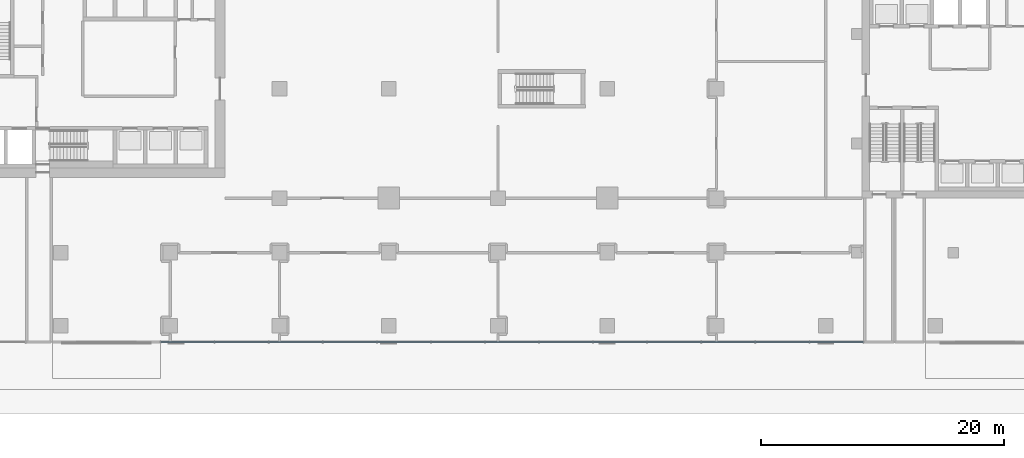
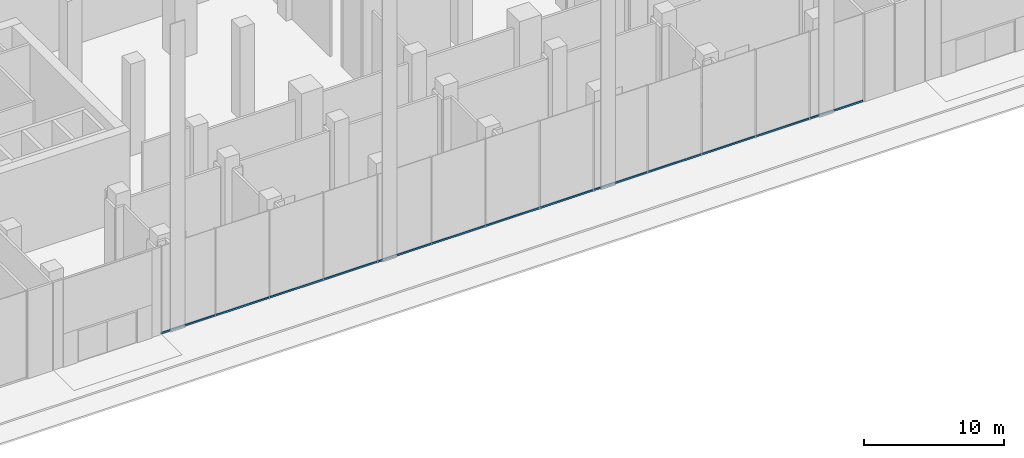
# One storey, part 5 of 42: 1 member, 1 element without a shape of its own.
"""IFC4 building model written with IfcOpenShell, lengths in metres."""

import ifcopenshell
import ifcopenshell.guid

model = None  # the IFC model being written
_history = None  # IfcOwnerHistory: only IFC2X3 demands one
_inside = {}  # id of a spatial element -> (the spatial element, [elements in it])
_under = {}  # id of a project, library or spatial element -> (it, [spatial elements below it])
_declared = {}  # id of a project -> (the project, [libraries it declares])
_typed = {}  # id of a type object -> (the type object, [elements of that type])
_made_of = {}  # id of a material, layer set ... -> (it, [elements and type objects made of it])


def new_model(schema):
    """Start an empty IFC model of exactly this schema.

    Asked for "IFC4X3", IfcOpenShell would pick the latest addendum, in which some entities
    have other attributes; the version numbers below select the first issue.
    IFC2X3 requires an IfcOwnerHistory on every rooted entity: one is made here for all.
    """
    global model, _history
    if schema == "IFC4X3":
        model = ifcopenshell.file(schema_version=(4, 3, 0, 0))
    else:
        model = ifcopenshell.file(schema=schema)
    _inside.clear()
    _under.clear()
    _declared.clear()
    _typed.clear()
    _made_of.clear()
    _history = None
    if model.schema == "IFC2X3":
        org = make("IfcOrganization", Name="unknown")
        user = make(
            "IfcPersonAndOrganization",
            ThePerson=make("IfcPerson", FamilyName="unknown"),
            TheOrganization=org,
        )
        app = make(
            "IfcApplication",
            ApplicationDeveloper=org,
            Version="unknown",
            ApplicationFullName="unknown",
            ApplicationIdentifier="unknown",
        )
        _history = make(
            "IfcOwnerHistory",
            OwningUser=user,
            OwningApplication=app,
            ChangeAction="ADDED",
            CreationDate=0,
        )
    return model


def make(cls, **values):
    """One entity of the class cls with the attributes given. An attribute that is None is left unset."""
    return model.create_entity(
        cls, **{name: value for name, value in values.items() if value is not None}
    )


def rooted(cls, **values):
    """An entity with a GlobalId (a new one), such as an element, a storey or a relation."""
    return make(cls, GlobalId=ifcopenshell.guid.new(), OwnerHistory=_history, **values)


def si_unit(unit_type, name, prefix=None):
    """IfcSIUnit, for example si_unit("LENGTHUNIT", "METRE", prefix="MILLI")."""
    return make("IfcSIUnit", UnitType=unit_type, Prefix=prefix, Name=name)


def assignment(units):
    """IfcUnitAssignment: the units of a project."""
    return None if units is None else make("IfcUnitAssignment", Units=units)


def point(xyz):
    """IfcCartesianPoint."""
    return None if xyz is None else make("IfcCartesianPoint", Coordinates=xyz)


def direction(xyz):
    """IfcDirection."""
    return None if xyz is None else make("IfcDirection", DirectionRatios=xyz)


def frame(location, z_axis=None, x_axis=None):
    """IfcAxis2Placement3D, a coordinate frame: its origin and axes. An axis left out is left unset."""
    return make(
        "IfcAxis2Placement3D",
        Location=point(location),
        Axis=direction(z_axis),
        RefDirection=direction(x_axis),
    )


def frame_2d(location, x_axis=None):
    """IfcAxis2Placement2D, a coordinate frame in the plane: its origin and x axis."""
    return make(
        "IfcAxis2Placement2D", Location=point(location), RefDirection=direction(x_axis)
    )


def origin():
    """The frame at (0, 0, 0) with its axes left unset."""
    return frame((0.0, 0.0, 0.0))


def origin_2d():
    """The frame at (0, 0) in the plane with its x axis left unset."""
    return frame_2d((0.0, 0.0))


def place(relative_to, where):
    """IfcLocalPlacement: puts the frame where relative to a parent placement (None: the world)."""
    return make(
        "IfcLocalPlacement", PlacementRelTo=relative_to, RelativePlacement=where
    )


def context(
    kind, dimensions, precision=None, world=None, true_north=None, identifier=None
):
    """IfcGeometricRepresentationContext, for example the 3D "Model" context."""
    return make(
        "IfcGeometricRepresentationContext",
        ContextIdentifier=identifier,
        ContextType=kind,
        CoordinateSpaceDimension=dimensions,
        Precision=precision,
        WorldCoordinateSystem=world,
        TrueNorth=true_north,
    )


def subcontext(parent, identifier, kind, view, scale=None):
    """IfcGeometricRepresentationSubContext, for example "Body" below "Model"."""
    return make(
        "IfcGeometricRepresentationSubContext",
        ContextIdentifier=identifier,
        ContextType=kind,
        ParentContext=parent,
        TargetScale=scale,
        TargetView=view,
    )


def project(units=None, contexts=None):
    """IfcProject with its units and contexts."""
    return rooted(
        "IfcProject",
        Name="project",
        RepresentationContexts=contexts,
        UnitsInContext=assignment(units),
    )


def spatial(cls, under=None, at=None, **own):
    """A site, building, storey or space (cls), placed at a placement, below another one or the project."""
    s = rooted(cls, ObjectPlacement=at, **own)
    if under is not None:
        _under.setdefault(under.id(), (under, []))[1].append(s)
    return s


def profile(cls, at=None, kind="AREA", **sizes):
    """A parametric profile (cls). Its sizes go by their IFC names, for example OverallWidth=200.0."""
    return make(cls, ProfileType=kind, Position=at, **sizes)


def rectangle(**sizes):
    """IfcRectangleProfileDef."""
    return profile("IfcRectangleProfileDef", **sizes)


def extrude(swept, where, along, depth):
    """IfcExtrudedAreaSolid: the profile swept, set in the frame where, extruded along a direction by depth."""
    return make(
        "IfcExtrudedAreaSolid",
        SweptArea=swept,
        Position=where,
        ExtrudedDirection=direction(along),
        Depth=depth,
    )


def shape(context_of_items, identifier, shape_type, items):
    """IfcShapeRepresentation: the items that make up one representation, for example the "Body"."""
    return make(
        "IfcShapeRepresentation",
        ContextOfItems=context_of_items,
        RepresentationIdentifier=identifier,
        RepresentationType=shape_type,
        Items=items,
    )


def material(Name=None, Category=None):
    """IfcMaterial."""
    return make("IfcMaterial", Name=Name, Category=Category)


def layer(
    of_material, thickness, ventilated=None, Name=None, Category=None, Priority=None
):
    """IfcMaterialLayer: one layer of a wall or slab, of a material (None: an air gap)."""
    return make(
        "IfcMaterialLayer",
        Material=of_material,
        LayerThickness=thickness,
        IsVentilated=ventilated,
        Name=Name,
        Category=Category,
        Priority=Priority,
    )


def layer_set(layers, Name=None):
    """IfcMaterialLayerSet."""
    return make("IfcMaterialLayerSet", MaterialLayers=layers, LayerSetName=Name)


def material_profile(
    of_material, cross_section, Name=None, Category=None, Priority=None
):
    """IfcMaterialProfile: a cross section and its material."""
    return make(
        "IfcMaterialProfile",
        Name=Name,
        Material=of_material,
        Profile=cross_section,
        Priority=Priority,
        Category=Category,
    )


def profile_set(profiles, Name=None, composite=None):
    """IfcMaterialProfileSet."""
    return make(
        "IfcMaterialProfileSet",
        Name=Name,
        MaterialProfiles=profiles,
        CompositeProfile=composite,
    )


def made_of(thing, what):
    """Note that an element or type object is made of a material, layer set ...; save() writes the relation."""
    if what is not None:
        _made_of.setdefault(what.id(), (what, []))[1].append(thing)
    return thing


def type_object(cls, material=None, **own):
    """A type object (cls), such as IfcWallType, which elements share."""
    return made_of(rooted(cls, **own), material)


def element(
    cls,
    number,
    at=None,
    inside=None,
    cuts=None,
    type_object=None,
    material=None,
    context=None,
    identifier="Body",
    shape_type=None,
    held_by="IfcProductDefinitionShape",
    body=None,
    shapes=None,
    **own,
):
    """One element of the class cls, such as IfcWall. Its Tag is "e" and its number.

    at: its placement. inside: the storey or other place that contains it. cuts: it is an
    opening in that element (IfcRelVoidsElement). A single representation is given by context,
    identifier, shape_type and body (its items); several are given by shapes. held_by: the class
    of the entity that holds the representations. save() writes the other relations.
    """
    e = rooted(cls, Tag="e%d" % number, ObjectPlacement=at, **own)
    if body is not None:
        shapes = [shape(context, identifier, shape_type, body)]
    if shapes is not None:
        e.Representation = make(held_by, Representations=shapes)
    if inside is not None:
        _inside.setdefault(inside.id(), (inside, []))[1].append(e)
    if cuts is not None:
        rooted(
            "IfcRelVoidsElement", RelatingBuildingElement=cuts, RelatedOpeningElement=e
        )
    if type_object is not None:
        _typed.setdefault(type_object.id(), (type_object, []))[1].append(e)
    return made_of(e, material)


def aggregate(whole, parts):
    """IfcRelAggregates: a whole, such as a stair, and the parts it consists of."""
    return rooted("IfcRelAggregates", RelatingObject=whole, RelatedObjects=parts)


def save(model, path):
    """Write the relations noted so far, then the file.

    IfcRelAggregates (storeys below a building ...), IfcRelContainedInSpatialStructure (elements
    in a storey), IfcRelDefinesByType, IfcRelAssociatesMaterial and IfcRelDeclares: one each for
    every whole, place, type object, material and project.
    """
    for whole, parts in _under.values():
        aggregate(whole, parts)
    for where, things in _inside.values():
        rooted(
            "IfcRelContainedInSpatialStructure",
            RelatedElements=things,
            RelatingStructure=where,
        )
    for kind, things in _typed.values():
        rooted("IfcRelDefinesByType", RelatedObjects=things, RelatingType=kind)
    for what, things in _made_of.values():
        rooted("IfcRelAssociatesMaterial", RelatedObjects=things, RelatingMaterial=what)
    for by, libraries in _declared.values():
        rooted("IfcRelDeclares", RelatingContext=by, RelatedDefinitions=libraries)
    model.write(path)


model = new_model("IFC4")

# Units and contexts
model_context = context("Model", 3, precision=1e-05, world=origin(), true_north=direction((0.0, 1.0)))
body_context = subcontext(model_context, "Body", "Model", "MODEL_VIEW")
ifc_project = project(units=[si_unit("LENGTHUNIT", "METRE"), si_unit("AREAUNIT", "SQUARE_METRE"), si_unit("VOLUMEUNIT", "CUBIC_METRE"), si_unit("PLANEANGLEUNIT", "RADIAN"), si_unit("MASSUNIT", "GRAM", prefix="KILO")], contexts=[model_context])

# Site, building, storey
site_placement = place(None, origin())
site = spatial("IfcSite", under=ifc_project, at=site_placement, CompositionType="ELEMENT")
building_placement = place(site_placement, origin())
building = spatial("IfcBuilding", under=site, at=building_placement, Name="Plateau Cross Towers", CompositionType="ELEMENT")
storey_placement = place(building_placement, origin())
storey = spatial("IfcBuildingStorey", under=building, at=storey_placement, Name="L00", CompositionType="ELEMENT", Elevation=0.0)

# Curtain wall, member
ifc_material_1 = material(Name="Dark low-iron laminated glass", Category="glass")
ifc_layer = layer(ifc_material_1, 0.300048828125)
ifc_layer_set = layer_set([ifc_layer], Name="Dark low-iron laminated glass")
curtain_wall_type = type_object("IfcCurtainWallType", Name="Curtain wall structural silicone CW-C", PredefinedType="NOTDEFINED", material=ifc_layer_set)
curtain_wall_placement = place(storey_placement, origin())
curtain_wall = element("IfcCurtainWall", 1, at=curtain_wall_placement, inside=storey, type_object=curtain_wall_type, Name="ENV/P/L00/P172_-118", PredefinedType="NOTDEFINED")
ifc_material_2 = material(Name="Black anodised aluminium", Category="aluminium")
ifc_material_profile = material_profile(ifc_material_2, rectangle(XDim=0.10009765625, YDim=0.14990234375, at=origin_2d()), Name="TRANSOM 100x150")
ifc_profile_set = profile_set([ifc_material_profile], Name="Black anodised aluminium")
member_type = type_object("IfcMemberType", Name="Transom 100x150 structural silicone", PredefinedType="USERDEFINED", material=ifc_profile_set)
member_placement = place(storey_placement, frame((17.206787109375, -11.85009765625, 0.074951171875), z_axis=(1.0, 0.0, 0.0), x_axis=(0.0, 1.0, 0.0)))
member = element("IfcMember", 2, at=member_placement, type_object=member_type, Name="CW-C transom", ObjectType="TRANSOM", PredefinedType="USERDEFINED", context=body_context, shape_type="SweptSolid", body=[
    extrude(rectangle(XDim=0.10009765625, YDim=0.14990234375, at=origin_2d()), origin(), (0.0, 0.0, 1.0), 57.893310546875),
])
aggregate(curtain_wall, [member])

save(model, "model.ifc")
